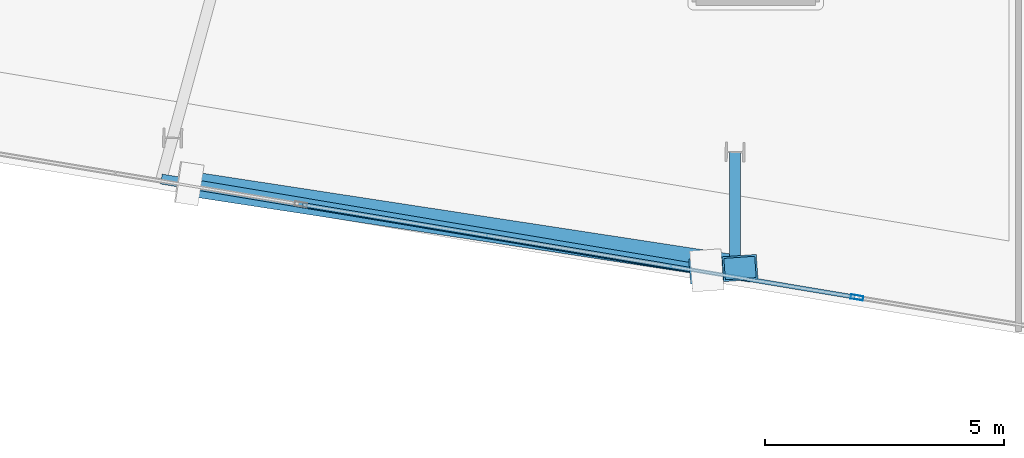
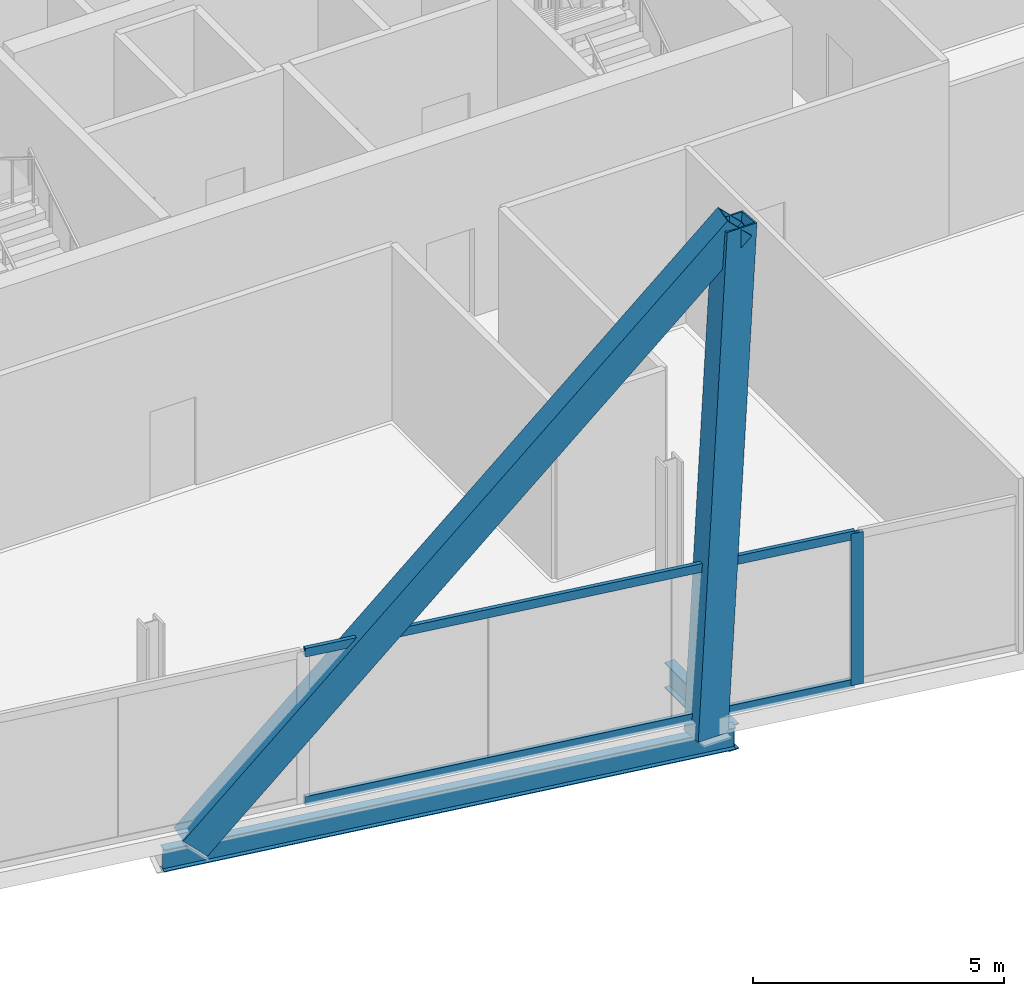
# One storey, part 3 of 18: 5 members, 2 beams, 1 element without a shape of its own.
"""IFC4 building model written with IfcOpenShell, lengths in metres."""

from ifc_helpers import new_model, si_unit, direction, frame, origin, origin_2d, place, context, subcontext, project, spatial, hollow_rectangle, i_section, extrude, material, material_profile, profile_set, type_object, element, aggregate, save


model = new_model("IFC4")

# Units and contexts
model_context = context("Model", 3, precision=1e-05, world=origin(), true_north=direction((0.0, 1.0)))
body_context = subcontext(model_context, "Body", "Model", "MODEL_VIEW")
ifc_project = project(units=[si_unit("LENGTHUNIT", "METRE"), si_unit("AREAUNIT", "SQUARE_METRE"), si_unit("VOLUMEUNIT", "CUBIC_METRE"), si_unit("PLANEANGLEUNIT", "RADIAN"), si_unit("MASSUNIT", "GRAM", prefix="KILO")], contexts=[model_context])

# Site, building, storey
site_placement = place(None, origin())
site = spatial("IfcSite", under=ifc_project, at=site_placement, CompositionType="ELEMENT")
building_placement = place(site_placement, origin())
building = spatial("IfcBuilding", under=site, at=building_placement, Name="Haldenkirk Collegiate Tower", CompositionType="ELEMENT")
storey_placement = place(building_placement, frame((0.0, 0.0, 298.199951171875)))
storey = spatial("IfcBuildingStorey", under=building, at=storey_placement, Name="L75", CompositionType="ELEMENT", Elevation=298.199951171875)

# Beams
ifc_material_1 = material(Name="Steel ASTM A992 Grade 50", Category="steel")
ifc_material_profile_1 = material_profile(ifc_material_1, i_section(OverallWidth=0.22998046875, OverallDepth=0.616943359375, WebThickness=0.01318359375, FlangeThickness=0.022216796875, at=origin_2d()), Name="W24X94")
ifc_profile_set_1 = profile_set([ifc_material_profile_1], Name="Steel ASTM A992 Grade 50")
beam_type_1 = type_object("IfcBeamType", Name="BM-GIRDER-W24X94", PredefinedType="BEAM", material=ifc_profile_set_1)
beam_1_placement = place(storey_placement, frame((35.567626953125, 5.95458984375, -0.70849609375), z_axis=(0.0, -1.0, 0.0), x_axis=(1.0, 0.0, 0.0)))
element("IfcBeam", 1, at=beam_1_placement, inside=storey, type_object=beam_type_1, Name="L75 facade lookout girder 15", PredefinedType="BEAM", context=body_context, shape_type="SweptSolid", body=[
    extrude(i_section(OverallWidth=0.22998046875, OverallDepth=0.616943359375, WebThickness=0.01318359375, FlangeThickness=0.022216796875, at=origin_2d()), origin(), (0.0, 0.0, 1.0), 2.573486328125),
])
ifc_material_profile_2 = material_profile(ifc_material_1, i_section(OverallWidth=0.2099609375, OverallDepth=0.537109375, WebThickness=0.010986328125, FlangeThickness=0.017333984375, at=origin_2d()), Name="W21X68")
ifc_profile_set_2 = profile_set([ifc_material_profile_2], Name="Steel ASTM A992 Grade 50")
beam_type_2 = type_object("IfcBeamType", Name="BM-SPANDREL-W21X68", PredefinedType="SPANDREL", material=ifc_profile_set_2)
beam_2_placement = place(storey_placement, frame((23.561279296875, 5.390380859375, -0.66845703125), z_axis=(0.986284213448, -0.165055900538, 0.0), x_axis=(0.165055900538, 0.986284213448, 0.0)))
element("IfcBeam", 2, at=beam_2_placement, inside=storey, type_object=beam_type_2, Name="L75 outer facade edge beam 4", PredefinedType="SPANDREL", context=body_context, shape_type="SweptSolid", body=[
    extrude(i_section(OverallWidth=0.2099609375, OverallDepth=0.537109375, WebThickness=0.010986328125, FlangeThickness=0.017333984375, at=origin_2d()), origin(), (0.0, 0.0, 1.0), 12.17333984375),
])

# Curtain wall, members
ifc_material_2 = material(Name="Anodised architectural bronze aluminium", Category="aluminium")
curtain_wall_type = type_object("IfcCurtainWallType", Name="CW-SYS4-SKYGARDEN", PredefinedType="USERDEFINED", material=ifc_material_2)
curtain_wall_placement = place(storey_placement, origin())
curtain_wall = element("IfcCurtainWall", 3, at=curtain_wall_placement, inside=storey, type_object=curtain_wall_type, Name="L75 Sky-garden tall bronze curtain wall", ObjectType="UNITISED CURTAIN WALL", PredefinedType="USERDEFINED")
ifc_material_profile_3 = material_profile(ifc_material_2, hollow_rectangle(XDim=0.090087890625, YDim=0.260009765625, WallThickness=0.0048828125, at=origin_2d()), Name="CW-MUL-04")
ifc_profile_set_3 = profile_set([ifc_material_profile_3], Name="Anodised architectural bronze aluminium")
member_type_1 = type_object("IfcMemberType", Name="CW-MUL-04", PredefinedType="MULLION", material=ifc_profile_set_3)
member_1_placement = place(storey_placement, frame((38.11865234375, 2.91357421875, 0.0), z_axis=(0.0, 0.0, 1.0), x_axis=(-0.165048518423, -0.986285448826, 0.0)))
member_1 = element("IfcMember", 4, at=member_1_placement, type_object=member_type_1, Name="CW-04 mullion 2", PredefinedType="MULLION", context=body_context, shape_type="SweptSolid", body=[
    extrude(hollow_rectangle(XDim=0.090087890625, YDim=0.260009765625, WallThickness=0.0048828125, at=origin_2d()), origin(), (0.0, 0.0, 1.0), 3.697998046875),
])
ifc_material_profile_4 = material_profile(ifc_material_2, hollow_rectangle(XDim=0.090087890625, YDim=0.2099609375, WallThickness=0.0048828125, at=origin_2d()), Name="CW-TRN-04")
ifc_profile_set_4 = profile_set([ifc_material_profile_4], Name="Anodised architectural bronze aluminium")
member_type_2 = type_object("IfcMemberType", Name="CW-TRN-04", PredefinedType="USERDEFINED", material=ifc_profile_set_4)
member_2_placement = place(storey_placement, frame((38.07421875, 2.921142578125, 0.045166015625), z_axis=(-0.986286651811, 0.165041329551, 0.0), x_axis=(-0.165041329551, -0.986286651811, 0.0)))
member_2 = element("IfcMember", 5, at=member_2_placement, type_object=member_type_2, Name="CW-04 transom 2.1", ObjectType="TRANSOM", PredefinedType="USERDEFINED", context=body_context, shape_type="SweptSolid", body=[
    extrude(hollow_rectangle(XDim=0.090087890625, YDim=0.2099609375, WallThickness=0.0048828125, at=origin_2d()), origin(), (0.0, 0.0, 1.0), 11.7099609375),
])
member_3_placement = place(storey_placement, frame((38.07421875, 2.921142578125, 3.653076171875), z_axis=(-0.986286651811, 0.165041329551, 0.0), x_axis=(-0.165041329551, -0.986286651811, 0.0)))
member_3 = element("IfcMember", 6, at=member_3_placement, type_object=member_type_2, Name="CW-04 transom 2.2", ObjectType="TRANSOM", PredefinedType="USERDEFINED", context=body_context, shape_type="SweptSolid", body=[
    extrude(hollow_rectangle(XDim=0.090087890625, YDim=0.2099609375, WallThickness=0.0048828125, at=origin_2d()), origin(), (0.0, 0.0, 1.0), 11.7099609375),
])
aggregate(curtain_wall, [member_1, member_2, member_3])

# Members
ifc_material_3 = material(Name="Steel ASTM A572 Grade 50", Category="steel")
ifc_material_profile_5 = material_profile(ifc_material_3, hollow_rectangle(XDim=0.52001953125, YDim=0.719970703125, WallThickness=0.035888671875, at=origin_2d()), Name="BOX720X520X36")
ifc_profile_set_5 = profile_set([ifc_material_profile_5], Name="Steel ASTM A572 Grade 50")
member_type_3 = type_object("IfcMemberType", Name="MBR-MEGABRACE-BOX720X520X36", PredefinedType="BRACE", material=ifc_profile_set_5)
member_4_placement = place(storey_placement, frame((24.153076171875, 5.291259765625, -0.409912109375), z_axis=(0.68451521357, -0.10470848445, 0.721439571742), x_axis=(0.151208523218, 0.988501887963, 0.0)))
element("IfcMember", 7, at=member_4_placement, inside=storey, type_object=member_type_3, Name="Perimeter Mega Brace Z6 L75-L77 WL", PredefinedType="BRACE", context=body_context, shape_type="SweptSolid", body=[
    extrude(hollow_rectangle(XDim=0.52001953125, YDim=0.719970703125, WallThickness=0.035888671875, at=origin_2d()), origin(), (0.0, 0.0, 1.0), 16.827392578125),
])
member_5_placement = place(storey_placement, frame((34.975830078125, 3.480224609375, -0.409912109375), z_axis=(0.05722085784, 0.00403557629, 0.998353388111), x_axis=(-0.070351569825, 0.997522258711, 0.0)))
element("IfcMember", 8, at=member_5_placement, inside=storey, type_object=member_type_3, Name="Perimeter Mega Brace Z6 L75-L77 WR", PredefinedType="BRACE", context=body_context, shape_type="SweptSolid", body=[
    extrude(hollow_rectangle(XDim=0.52001953125, YDim=0.719970703125, WallThickness=0.035888671875, at=origin_2d()), origin(), (0.0, 0.0, 1.0), 12.159912109375),
])

save(model, "model.ifc")
